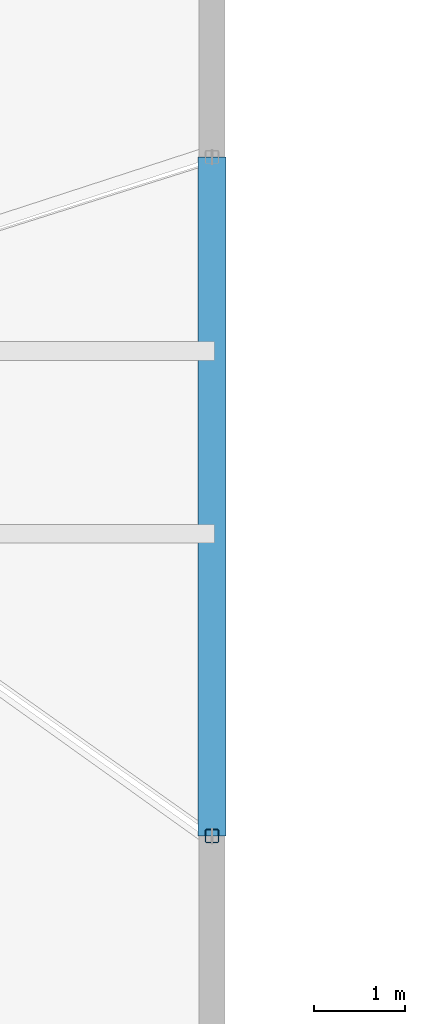
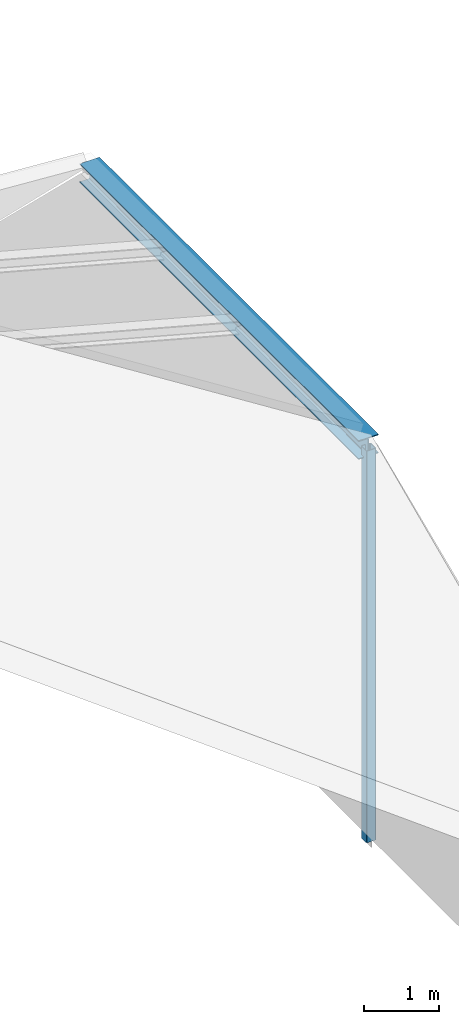
# One storey, part 5 of 54: 2 members.
"""IFC4 building model written with IfcOpenShell, lengths in metres."""

from ifc_helpers import new_model, si_unit, direction, frame, origin, origin_2d, place, context, subcontext, project, spatial, hollow_rectangle, i_section, extrude, material, material_profile, profile_set, type_object, element, save


model = new_model("IFC4")

# Units and contexts
model_context = context("Model", 3, precision=1e-05, world=origin(), true_north=direction((0.0, 1.0)))
body_context = subcontext(model_context, "Body", "Model", "MODEL_VIEW")
ifc_project = project(units=[si_unit("LENGTHUNIT", "METRE"), si_unit("AREAUNIT", "SQUARE_METRE"), si_unit("VOLUMEUNIT", "CUBIC_METRE"), si_unit("PLANEANGLEUNIT", "RADIAN"), si_unit("MASSUNIT", "GRAM", prefix="KILO")], contexts=[model_context])

# Site, building, storey
site_placement = place(None, origin())
site = spatial("IfcSite", under=ifc_project, at=site_placement, CompositionType="ELEMENT")
building_placement = place(site_placement, origin())
building = spatial("IfcBuilding", under=site, at=building_placement, Name="Koriwan Promenade Central Fire Station", CompositionType="ELEMENT")
storey_placement = place(building_placement, frame((0.0, 0.0, 9.60009765625)))
storey = spatial("IfcBuildingStorey", under=building, at=storey_placement, Name="L02", CompositionType="ELEMENT", Elevation=9.60009765625)

# Members
ifc_material_1 = material(Name="Steel ASTM A992 Grade 50", Category="steel")
ifc_material_profile_1 = material_profile(ifc_material_1, i_section(OverallWidth=0.304931640625, OverallDepth=0.30810546875, WebThickness=0.010009765625, FlangeThickness=0.015380859375, FilletRadius=0.014892578125, at=origin_2d()), Name="W310x97")
ifc_profile_set_1 = profile_set([ifc_material_profile_1], Name="Steel ASTM A992 Grade 50")
member_type_1 = type_object("IfcMemberType", Name="Member_CHORD_W310x97", PredefinedType="CHORD", material=ifc_profile_set_1)
member_1_placement = place(storey_placement, frame((115.199951171875, 57.89208984375, 6.189697265625), z_axis=(0.0, 1.0, 0.0), x_axis=(-1.0, 0.0, 0.0)))
element("IfcMember", 1, at=member_1_placement, inside=storey, type_object=member_type_1, Name="V1 east chamfer eave header beam", PredefinedType="CHORD", context=body_context, shape_type="SweptSolid", body=[
    extrude(i_section(OverallWidth=0.304931640625, OverallDepth=0.30810546875, WebThickness=0.010009765625, FlangeThickness=0.015380859375, FilletRadius=0.014892578125, at=origin_2d()), origin(), (0.0, 0.0, 1.0), 7.4296875),
])
ifc_material_2 = material(Name="Steel ASTM A500 Grade C", Category="steel")
ifc_material_profile_2 = material_profile(ifc_material_2, hollow_rectangle(XDim=0.14990234375, YDim=0.14990234375, WallThickness=0.008056640625, InnerFilletRadius=0.008056640625, OuterFilletRadius=0.01611328125, at=origin_2d()), Name="HSS150x150x8")
ifc_profile_set_2 = profile_set([ifc_material_profile_2], Name="Steel ASTM A500 Grade C")
member_type_2 = type_object("IfcMemberType", Name="Member_STRUT_HSS150x150x8", PredefinedType="STRUT", material=ifc_profile_set_2)
member_2_placement = place(storey_placement, frame((115.199951171875, 57.89208984375, -0.18017578125), z_axis=(0.0, 0.0, 1.0), x_axis=(1.0, 0.0, 0.0)))
element("IfcMember", 2, at=member_2_placement, inside=storey, type_object=member_type_2, Name="V1 east portal truss vertical 1", PredefinedType="STRUT", context=body_context, shape_type="SweptSolid", body=[
    extrude(hollow_rectangle(XDim=0.14990234375, YDim=0.14990234375, WallThickness=0.008056640625, InnerFilletRadius=0.008056640625, OuterFilletRadius=0.01611328125, at=origin_2d()), origin(), (0.0, 0.0, 1.0), 6.369873046875),
])

save(model, "model.ifc")
